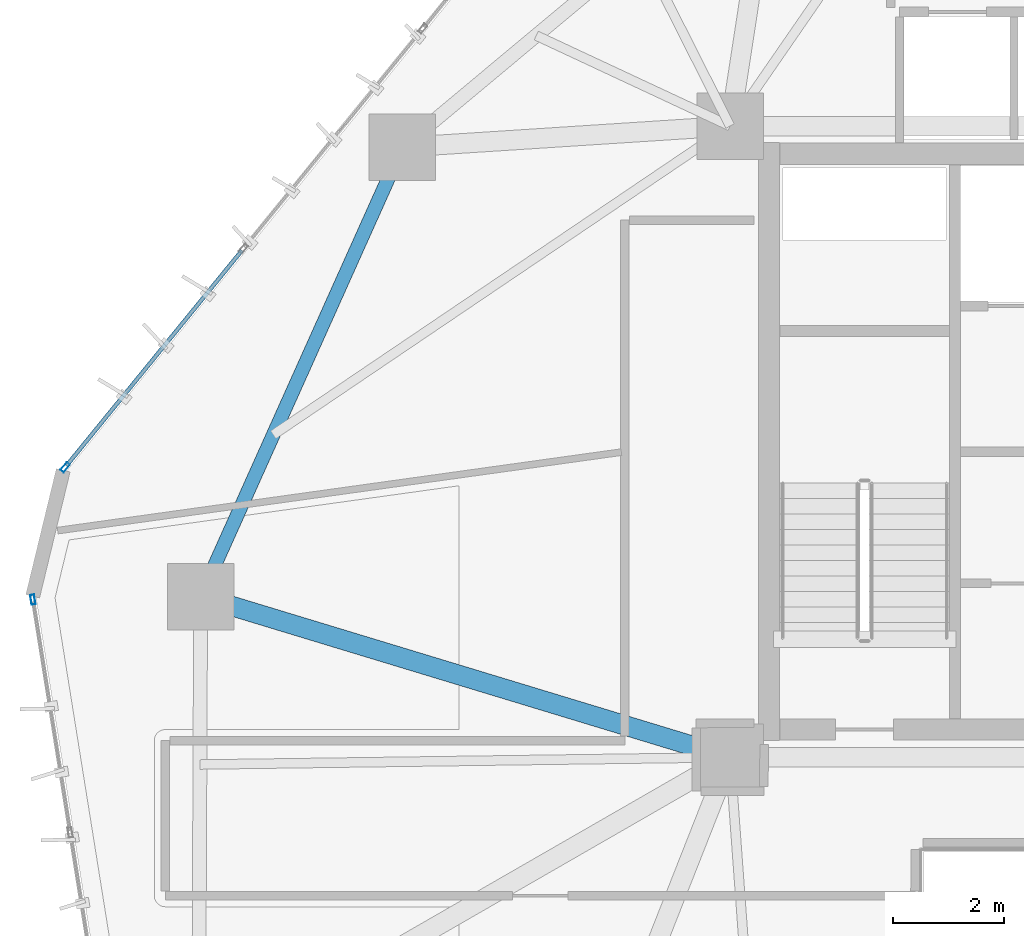
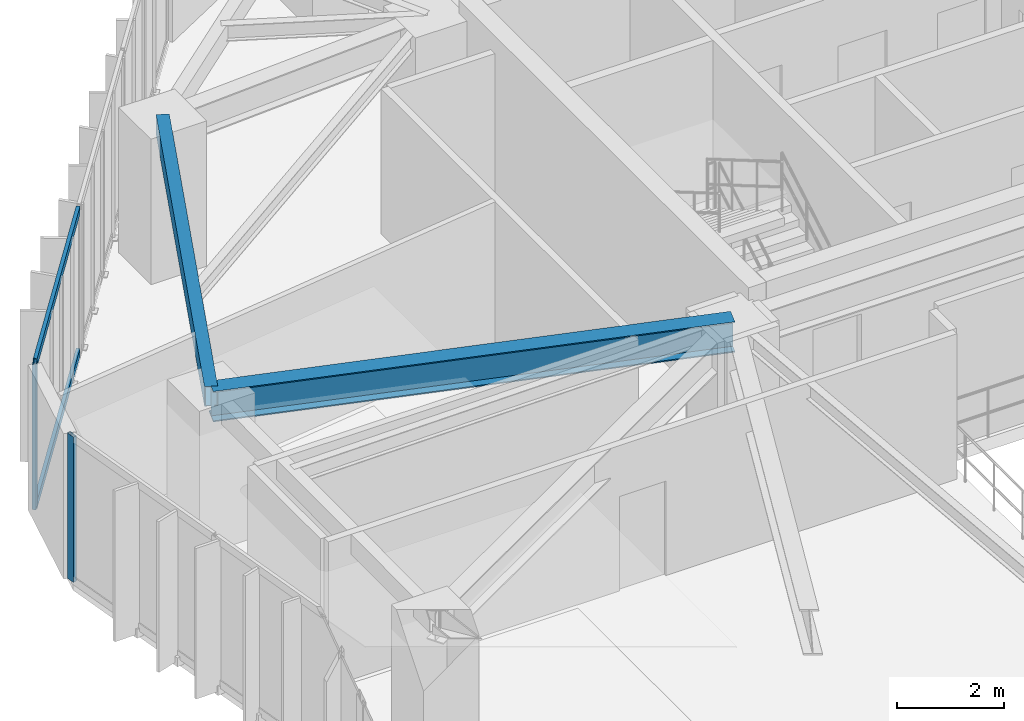
# One storey, part 9 of 24: 4 members, 2 beams, 2 elements without a shape of their own.
"""IFC4 building model written with IfcOpenShell, lengths in metres."""

from ifc_helpers import new_model, si_unit, direction, frame, origin, origin_2d, place, context, subcontext, project, spatial, hollow_rectangle, i_section, extrude, source, transform, mapped, material, layer, layer_set, material_profile, profile_set, type_object, type_shapes, element, aggregate, save


model = new_model("IFC4")

# Units and contexts
model_context = context("Model", 3, precision=1e-05, world=origin(), true_north=direction((0.0, 1.0)))
body_context = subcontext(model_context, "Body", "Model", "MODEL_VIEW")
ifc_project = project(units=[si_unit("LENGTHUNIT", "METRE"), si_unit("AREAUNIT", "SQUARE_METRE"), si_unit("VOLUMEUNIT", "CUBIC_METRE"), si_unit("PLANEANGLEUNIT", "RADIAN"), si_unit("MASSUNIT", "GRAM", prefix="KILO")], contexts=[model_context])

# Site, building, storey
site_placement = place(None, origin())
site = spatial("IfcSite", under=ifc_project, at=site_placement, CompositionType="ELEMENT")
building_placement = place(site_placement, origin())
building = spatial("IfcBuilding", under=site, at=building_placement, Name="Talar Marvaseh", CompositionType="ELEMENT")
storey_placement = place(building_placement, frame((0.0, 0.0, 111.0)))
storey = spatial("IfcBuildingStorey", under=building, at=storey_placement, Name="L28", CompositionType="ELEMENT", Elevation=111.0)

# Beams
ifc_material_1 = material(Name="Steel S355", Category="steel")
ifc_material_profile_1 = material_profile(ifc_material_1, hollow_rectangle(XDim=0.25, YDim=0.449951171875, WallThickness=0.01611328125, at=origin_2d()), Name="RHS450x250x16")
ifc_profile_set_1 = profile_set([ifc_material_profile_1], Name="Steel S355")
beam_type_1 = type_object("IfcBeamType", Name="Zone 2 Perimeter Spandrel Beam RHS450x250x16", PredefinedType="SPANDREL", material=ifc_profile_set_1)
beam_1_placement = place(storey_placement, frame((9.137939453125, 28.402099609375, 3.0849609375), z_axis=(0.409461733275, 0.912327292688, 0.0), x_axis=(-0.912327292688, 0.409461733275, 0.0)))
element("IfcBeam", 1, at=beam_1_placement, inside=storey, type_object=beam_type_1, Name="L28 Zone 2 Perimeter Spandrel Beam RHS450x250x16", PredefinedType="SPANDREL", context=body_context, shape_type="SweptSolid", body=[
    extrude(hollow_rectangle(XDim=0.25, YDim=0.449951171875, WallThickness=0.01611328125, at=origin_2d()), origin(), (0.0, 0.0, 1.0), 8.894775390625),
])
ifc_material_profile_2 = material_profile(ifc_material_1, i_section(OverallWidth=0.35498046875, OverallDepth=0.695068359375, WebThickness=0.015380859375, FlangeThickness=0.02490234375, at=origin_2d()), Name="W690x217")
ifc_profile_set_2 = profile_set([ifc_material_profile_2], Name="Steel S355")
beam_type_2 = type_object("IfcBeamType", Name="Zone 2 Radial Floor Girder W690x217", PredefinedType="BEAM", material=ifc_profile_set_2)
beam_2_placement = place(storey_placement, frame((9.137939453125, 28.402099609375, 2.96240234375), z_axis=(0.956898764921, -0.290421682546, 0.0), x_axis=(0.290421682546, 0.956898764921, 0.0)))
element("IfcBeam", 2, at=beam_2_placement, inside=storey, type_object=beam_type_2, Name="L28 Zone 2 Radial Floor Girder W690x217", PredefinedType="BEAM", context=body_context, shape_type="SweptSolid", body=[
    extrude(i_section(OverallWidth=0.35498046875, OverallDepth=0.695068359375, WebThickness=0.015380859375, FlangeThickness=0.02490234375, at=origin_2d()), origin(), (0.0, 0.0, 1.0), 9.99267578125),
])

# Curtain wall, member
ifc_material_2 = material(Name="Architectural Aluminium", Category="aluminium")
ifc_layer = layer(ifc_material_2, 0.199951171875)
ifc_layer_set = layer_set([ifc_layer], Name="Architectural Aluminium")
curtain_wall_type = type_object("IfcCurtainWallType", Name="Unitised Acoustic Library Curtain Wall Z2", PredefinedType="NOTDEFINED", material=ifc_layer_set)
curtain_wall_1_placement = place(storey_placement, origin())
curtain_wall_1 = element("IfcCurtainWall", 3, at=curtain_wall_1_placement, inside=storey, type_object=curtain_wall_type, Name="L28 Unitised Acoustic Library Curtain Wall Z2", PredefinedType="NOTDEFINED")
ifc_material_profile_3 = material_profile(ifc_material_2, hollow_rectangle(XDim=0.074951171875, YDim=0.179931640625, WallThickness=0.0048828125, at=origin_2d()), Name="RHS180x75x5")
ifc_profile_set_3 = profile_set([ifc_material_profile_3], Name="Architectural Aluminium")
member_type_1 = type_object("IfcMemberType", Name="Unitised Curtain Wall Standard Mullion RHS180x75x5", PredefinedType="MULLION", material=ifc_profile_set_3)
shared_shape_1 = source(origin(), body_context, "Body", "SweptSolid", [
    extrude(hollow_rectangle(XDim=0.074951171875, YDim=0.179931640625, WallThickness=0.0048828125, at=origin_2d()), origin(), (0.0, 0.0, 1.0), 3.31005859375),
])
type_shapes(member_type_1, [shared_shape_1])
member_1_placement = place(storey_placement, frame((6.1083984375, 28.347412109375, 0.0), z_axis=(0.0, 0.0, 1.0), x_axis=(-0.987423965533, -0.15809463081, 0.0)))
member_1 = element("IfcMember", 4, at=member_1_placement, type_object=member_type_1, Name="CW-Z2 mullion 5", PredefinedType="MULLION", context=body_context, shape_type="MappedRepresentation", body=[
    mapped(shared_shape_1, transform((0.0, 0.0, 0.0), x_axis=(1.0, 0.0, 0.0), y_axis=(0.0, 1.0, 0.0), z_axis=(0.0, 0.0, 1.0), scale=1.0)),
])
aggregate(curtain_wall_1, [member_1])

# Curtain wall, members
curtain_wall_2_placement = place(storey_placement, origin())
curtain_wall_2 = element("IfcCurtainWall", 5, at=curtain_wall_2_placement, inside=storey, type_object=curtain_wall_type, Name="L28 Unitised Acoustic Library Curtain Wall Z2", PredefinedType="NOTDEFINED")
member_2_placement = place(storey_placement, frame((6.690185546875, 30.73583984375, 0.0), z_axis=(0.0, 0.0, 1.0), x_axis=(-0.775146356701, 0.631781707311, 0.0)))
member_2 = element("IfcMember", 6, at=member_2_placement, type_object=member_type_1, Name="CW-Z2 mullion 1", PredefinedType="MULLION", context=body_context, shape_type="MappedRepresentation", body=[
    mapped(shared_shape_1, transform((0.0, 0.0, 0.0), x_axis=(1.0, 0.0, 0.0), y_axis=(0.0, 1.0, 0.0), z_axis=(0.0, 0.0, 1.0), scale=1.0)),
])
ifc_material_profile_4 = material_profile(ifc_material_2, hollow_rectangle(XDim=0.074951171875, YDim=0.179931640625, WallThickness=0.0048828125, at=origin_2d()), Name="RHS180x75x5")
ifc_profile_set_4 = profile_set([ifc_material_profile_4], Name="Architectural Aluminium")
member_type_2 = type_object("IfcMemberType", Name="Unitised Curtain Wall Transom RHS180x75x5", PredefinedType="USERDEFINED", material=ifc_profile_set_4)
shared_shape_2 = source(origin(), body_context, "Body", "SweptSolid", [
    extrude(hollow_rectangle(XDim=0.074951171875, YDim=0.179931640625, WallThickness=0.0048828125, at=origin_2d()), origin(), (0.0, 0.0, 1.0), 5.017822265625),
])
type_shapes(member_type_2, [shared_shape_2])
member_3_placement = place(storey_placement, frame((6.7138671875, 30.764892578125, 0.03759765625), z_axis=(0.631795324816, 0.775135257578, 0.0), x_axis=(-0.775135257578, 0.631795324816, 0.0)))
member_3 = element("IfcMember", 7, at=member_3_placement, type_object=member_type_2, Name="CW-Z2 transom 1.1", ObjectType="TRANSOM", PredefinedType="USERDEFINED", context=body_context, shape_type="MappedRepresentation", body=[
    mapped(shared_shape_2, transform((0.0, 0.0, 0.0), x_axis=(1.0, 0.0, 0.0), y_axis=(0.0, 1.0, 0.0), z_axis=(0.0, 0.0, 1.0), scale=1.0)),
])
member_4_placement = place(storey_placement, frame((6.7138671875, 30.764892578125, 3.2724609375), z_axis=(0.631795324816, 0.775135257578, 0.0), x_axis=(-0.775135257578, 0.631795324816, 0.0)))
member_4 = element("IfcMember", 8, at=member_4_placement, type_object=member_type_2, Name="CW-Z2 transom 1.2", ObjectType="TRANSOM", PredefinedType="USERDEFINED", context=body_context, shape_type="MappedRepresentation", body=[
    mapped(shared_shape_2, transform((0.0, 0.0, 0.0), x_axis=(1.0, 0.0, 0.0), y_axis=(0.0, 1.0, 0.0), z_axis=(0.0, 0.0, 1.0), scale=1.0)),
])
aggregate(curtain_wall_2, [member_2, member_3, member_4])

save(model, "model.ifc")
